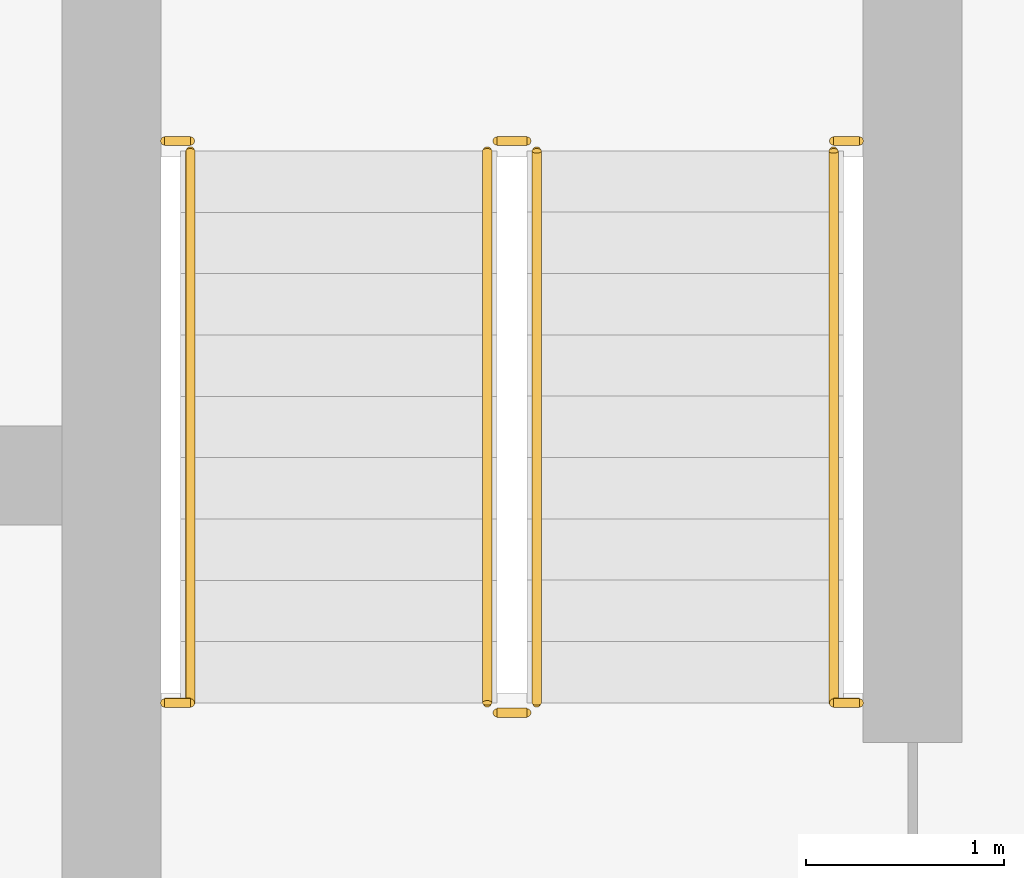
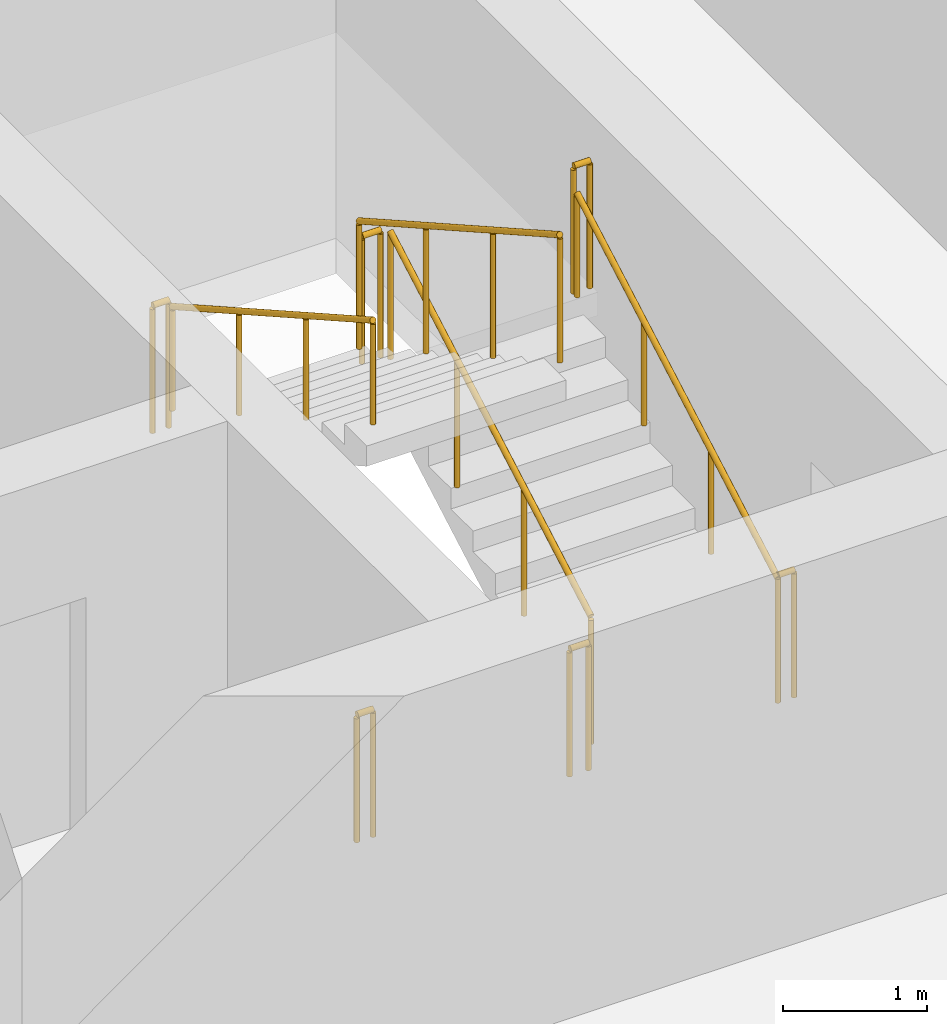
# One storey, part 20 of 22: 10 railings.
"""IFC4 building model written with IfcOpenShell, lengths in metres."""

from ifc_helpers import new_model, si_unit, direction, frame, origin, origin_2d, place, context, subcontext, project, spatial, circle, extrude, material, type_object, element, save


model = new_model("IFC4")

# Units and contexts
model_context = context("Model", 3, precision=1e-05, world=origin(), true_north=direction((0.0, 1.0)))
body_context = subcontext(model_context, "Body", "Model", "MODEL_VIEW")
ifc_project = project(units=[si_unit("LENGTHUNIT", "METRE"), si_unit("AREAUNIT", "SQUARE_METRE"), si_unit("VOLUMEUNIT", "CUBIC_METRE"), si_unit("PLANEANGLEUNIT", "RADIAN"), si_unit("MASSUNIT", "GRAM", prefix="KILO")], contexts=[model_context])

# Site, building, storey
site_placement = place(None, origin())
site = spatial("IfcSite", under=ifc_project, at=site_placement, CompositionType="ELEMENT")
building_placement = place(site_placement, origin())
building = spatial("IfcBuilding", under=site, at=building_placement, Name="Madar Terraces", CompositionType="ELEMENT")
storey_placement = place(building_placement, frame((0.0, 0.0, 178.89990234375)))
storey = spatial("IfcBuildingStorey", under=building, at=storey_placement, Name="L46", CompositionType="ELEMENT", Elevation=178.89990234375)

# Railings
ifc_material_1 = material(Name="Stainless steel railing", Category="steel")
railing_type_1 = type_object("IfcRailingType", Name="Stair guard 1100", PredefinedType="GUARDRAIL", material=ifc_material_1)
railing_1_placement = place(storey_placement, frame((41.449951171875, 17.60009765625, 0.175048828125)))
element("IfcRailing", 1, at=railing_1_placement, inside=storey, type_object=railing_type_1, Name="L46 ST3 stair guard 1", PredefinedType="GUARDRAIL", context=body_context, shape_type="SweptSolid", body=[
    extrude(circle(Radius=0.02392578125, at=origin_2d()), frame((0.0, 0.0, 1.076171875), z_axis=(0.0, 0.870815363784, 0.491610213684), x_axis=(-1.0, 0.0, 0.0)), (0.0, 0.0, 1.0), 3.20361328125),
    extrude(circle(Radius=0.02099609375, at=origin_2d()), origin(), (0.0, 0.0, 1.0), 1.052001953125),
    extrude(circle(Radius=0.02099609375, at=origin_2d()), frame((0.0, 0.929931640625, 0.52490234375)), (0.0, 0.0, 1.0), 1.052001953125),
    extrude(circle(Radius=0.02099609375, at=origin_2d()), frame((0.0, 1.85986328125, 1.050048828125)), (0.0, 0.0, 1.0), 1.052001953125),
    extrude(circle(Radius=0.02099609375, at=origin_2d()), frame((0.0, 2.789794921875, 1.574951171875)), (0.0, 0.0, 1.0), 1.052001953125),
])
railing_2_placement = place(storey_placement, frame((41.39990234375, 20.43994140625, 1.75)))
element("IfcRailing", 2, at=railing_2_placement, inside=storey, type_object=railing_type_1, Name="L46 ST3 stair guard 2", PredefinedType="GUARDRAIL", context=body_context, shape_type="SweptSolid", body=[
    extrude(circle(Radius=0.02392578125, at=origin_2d()), frame((0.0, 0.0, 1.076171875), z_axis=(-1.0, 0.0, 0.0), x_axis=(0.0, -1.0, 0.0)), (0.0, 0.0, 1.0), 0.14990234375),
    extrude(circle(Radius=0.02099609375, at=origin_2d()), origin(), (0.0, 0.0, 1.0), 1.052001953125),
    extrude(circle(Radius=0.02099609375, at=origin_2d()), frame((-0.14990234375, 0.0, 0.0)), (0.0, 0.0, 1.0), 1.052001953125),
])
railing_3_placement = place(storey_placement, frame((41.199951171875, 20.389892578125, 1.925048828125)))
element("IfcRailing", 3, at=railing_3_placement, inside=storey, type_object=railing_type_1, Name="L46 ST3 stair guard 3", PredefinedType="GUARDRAIL", context=body_context, shape_type="SweptSolid", body=[
    extrude(circle(Radius=0.02392578125, at=origin_2d()), frame((0.0, 0.0, 1.076171875), z_axis=(0.0, -0.870815363784, 0.491610213684), x_axis=(1.0, 0.0, 0.0)), (0.0, 0.0, 1.0), 3.20361328125),
    extrude(circle(Radius=0.02099609375, at=origin_2d()), origin(), (0.0, 0.0, 1.0), 1.052001953125),
    extrude(circle(Radius=0.02099609375, at=origin_2d()), frame((0.0, -0.929931640625, 0.52490234375)), (0.0, 0.0, 1.0), 1.052001953125),
    extrude(circle(Radius=0.02099609375, at=origin_2d()), frame((0.0, -1.85986328125, 1.050048828125)), (0.0, 0.0, 1.0), 1.052001953125),
    extrude(circle(Radius=0.02099609375, at=origin_2d()), frame((0.0, -2.789794921875, 1.574951171875)), (0.0, 0.0, 1.0), 1.052001953125),
])
railing_4_placement = place(storey_placement, frame((41.39990234375, 17.550048828125, 0.0)))
element("IfcRailing", 4, at=railing_4_placement, inside=storey, type_object=railing_type_1, Name="L46 ST3 stair guard 4", PredefinedType="GUARDRAIL", context=body_context, shape_type="SweptSolid", body=[
    extrude(circle(Radius=0.02392578125, at=origin_2d()), frame((0.0, 0.0, 1.076171875), z_axis=(-1.0, 0.0, 0.0), x_axis=(0.0, -1.0, 0.0)), (0.0, 0.0, 1.0), 0.14990234375),
    extrude(circle(Radius=0.02099609375, at=origin_2d()), origin(), (0.0, 0.0, 1.0), 1.052001953125),
    extrude(circle(Radius=0.02099609375, at=origin_2d()), frame((-0.14990234375, 0.0, 0.0)), (0.0, 0.0, 1.0), 1.052001953125),
])
railing_5_placement = place(storey_placement, frame((39.570068359375, 20.43994140625, 1.75)))
element("IfcRailing", 5, at=railing_5_placement, inside=storey, type_object=railing_type_1, Name="L46 stair guard seat 1", PredefinedType="GUARDRAIL", context=body_context, shape_type="SweptSolid", body=[
    extrude(circle(Radius=0.02392578125, at=origin_2d()), frame((0.0, 0.0, 1.076171875), z_axis=(1.0, 0.0, 0.0), x_axis=(0.0, 1.0, 0.0)), (0.0, 0.0, 1.0), 0.1298828125),
    extrude(circle(Radius=0.02099609375, at=origin_2d()), origin(), (0.0, 0.0, 1.0), 1.052001953125),
    extrude(circle(Radius=0.02099609375, at=origin_2d()), frame((0.1298828125, 0.0, 0.0)), (0.0, 0.0, 1.0), 1.052001953125),
])
railing_6_placement = place(storey_placement, frame((42.949951171875, 20.43994140625, 1.75)))
element("IfcRailing", 6, at=railing_6_placement, inside=storey, type_object=railing_type_1, Name="L46 stair guard seat 2", PredefinedType="GUARDRAIL", context=body_context, shape_type="SweptSolid", body=[
    extrude(circle(Radius=0.02392578125, at=origin_2d()), frame((0.0, 0.0, 1.076171875), z_axis=(1.0, 0.0, 0.0), x_axis=(0.0, 1.0, 0.0)), (0.0, 0.0, 1.0), 0.130126953125),
    extrude(circle(Radius=0.02099609375, at=origin_2d()), origin(), (0.0, 0.0, 1.0), 1.052001953125),
    extrude(circle(Radius=0.02099609375, at=origin_2d()), frame((0.130126953125, 0.0, 0.0)), (0.0, 0.0, 1.0), 1.052001953125),
])
railing_7_placement = place(storey_placement, frame((39.570068359375, 17.60009765625, 0.0)))
element("IfcRailing", 7, at=railing_7_placement, inside=storey, type_object=railing_type_1, Name="L46 stair guard floor 1", PredefinedType="GUARDRAIL", context=body_context, shape_type="SweptSolid", body=[
    extrude(circle(Radius=0.02392578125, at=origin_2d()), frame((0.0, 0.0, 1.076171875), z_axis=(1.0, 0.0, 0.0), x_axis=(0.0, 1.0, 0.0)), (0.0, 0.0, 1.0), 0.1298828125),
    extrude(circle(Radius=0.02099609375, at=origin_2d()), origin(), (0.0, 0.0, 1.0), 1.052001953125),
    extrude(circle(Radius=0.02099609375, at=origin_2d()), frame((0.1298828125, 0.0, 0.0)), (0.0, 0.0, 1.0), 1.052001953125),
])
railing_8_placement = place(storey_placement, frame((42.949951171875, 17.60009765625, 0.0)))
element("IfcRailing", 8, at=railing_8_placement, inside=storey, type_object=railing_type_1, Name="L46 stair guard floor 2", PredefinedType="GUARDRAIL", context=body_context, shape_type="SweptSolid", body=[
    extrude(circle(Radius=0.02392578125, at=origin_2d()), frame((0.0, 0.0, 1.076171875), z_axis=(1.0, 0.0, 0.0), x_axis=(0.0, 1.0, 0.0)), (0.0, 0.0, 1.0), 0.130126953125),
    extrude(circle(Radius=0.02099609375, at=origin_2d()), origin(), (0.0, 0.0, 1.0), 1.052001953125),
    extrude(circle(Radius=0.02099609375, at=origin_2d()), frame((0.130126953125, 0.0, 0.0)), (0.0, 0.0, 1.0), 1.052001953125),
])
ifc_material_2 = material(Name="Stainless steel railing", Category="steel")
railing_type_2 = type_object("IfcRailingType", Name="Stair handrail 900", PredefinedType="HANDRAIL", material=ifc_material_2)
railing_9_placement = place(storey_placement, frame((42.949951171875, 17.60009765625, 0.175048828125)))
element("IfcRailing", 9, at=railing_9_placement, inside=storey, type_object=railing_type_2, Name="L46 ST3 stair handrail 1", PredefinedType="HANDRAIL", context=body_context, shape_type="SweptSolid", body=[
    extrude(circle(Radius=0.02392578125, at=origin_2d()), frame((0.0, 0.0, 0.8759765625), z_axis=(0.0, 0.870815363784, 0.491610213684), x_axis=(-1.0, 0.0, 0.0)), (0.0, 0.0, 1.0), 3.20361328125),
    extrude(circle(Radius=0.02099609375, at=origin_2d()), origin(), (0.0, 0.0, 1.0), 0.851806640625),
    extrude(circle(Radius=0.02099609375, at=origin_2d()), frame((0.0, 0.929931640625, 0.52490234375)), (0.0, 0.0, 1.0), 0.851806640625),
    extrude(circle(Radius=0.02099609375, at=origin_2d()), frame((0.0, 1.85986328125, 1.050048828125)), (0.0, 0.0, 1.0), 0.851806640625),
    extrude(circle(Radius=0.02099609375, at=origin_2d()), frame((0.0, 2.789794921875, 1.574951171875)), (0.0, 0.0, 1.0), 0.851806640625),
])
railing_10_placement = place(storey_placement, frame((39.699951171875, 20.389892578125, 1.925048828125)))
element("IfcRailing", 10, at=railing_10_placement, inside=storey, type_object=railing_type_2, Name="L46 ST3 stair handrail 2", PredefinedType="HANDRAIL", context=body_context, shape_type="SweptSolid", body=[
    extrude(circle(Radius=0.02392578125, at=origin_2d()), frame((0.0, 0.0, 0.8759765625), z_axis=(0.0, -0.870815363784, 0.491610213684), x_axis=(1.0, 0.0, 0.0)), (0.0, 0.0, 1.0), 3.20361328125),
    extrude(circle(Radius=0.02099609375, at=origin_2d()), origin(), (0.0, 0.0, 1.0), 0.851806640625),
    extrude(circle(Radius=0.02099609375, at=origin_2d()), frame((0.0, -0.929931640625, 0.52490234375)), (0.0, 0.0, 1.0), 0.851806640625),
    extrude(circle(Radius=0.02099609375, at=origin_2d()), frame((0.0, -1.85986328125, 1.050048828125)), (0.0, 0.0, 1.0), 0.851806640625),
    extrude(circle(Radius=0.02099609375, at=origin_2d()), frame((0.0, -2.789794921875, 1.574951171875)), (0.0, 0.0, 1.0), 0.851806640625),
])

save(model, "model.ifc")
